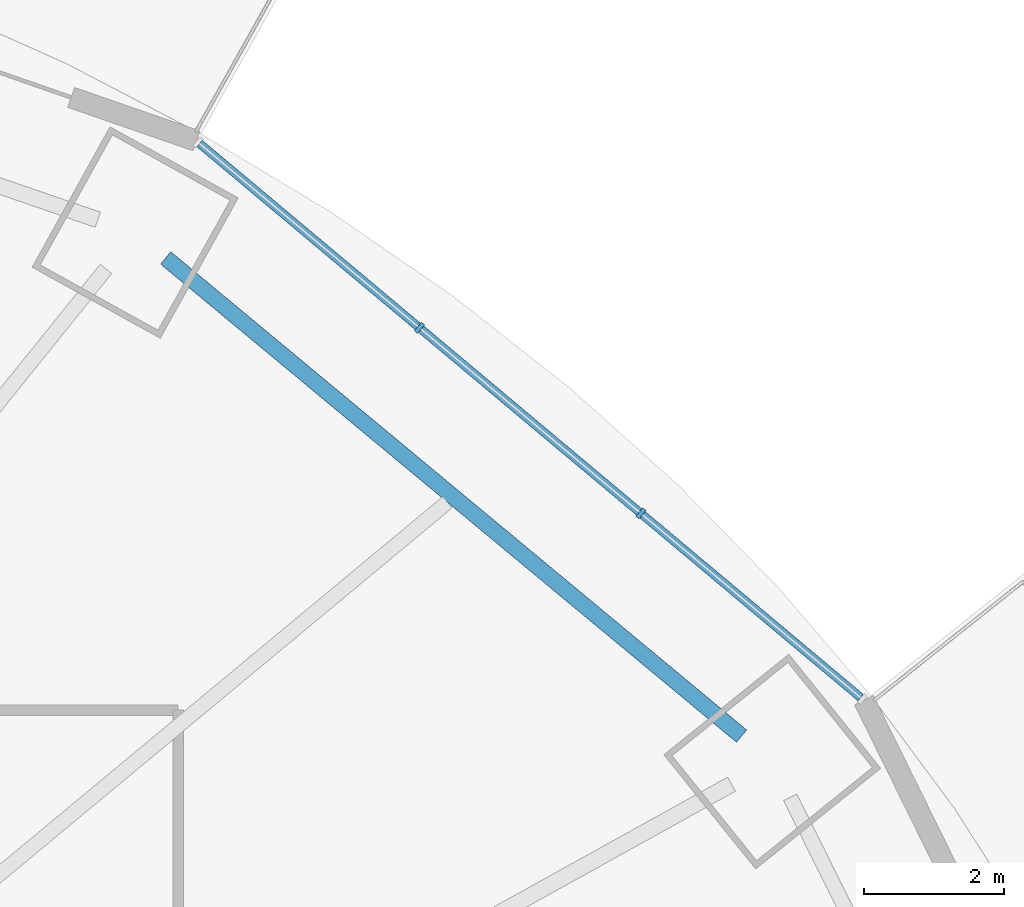
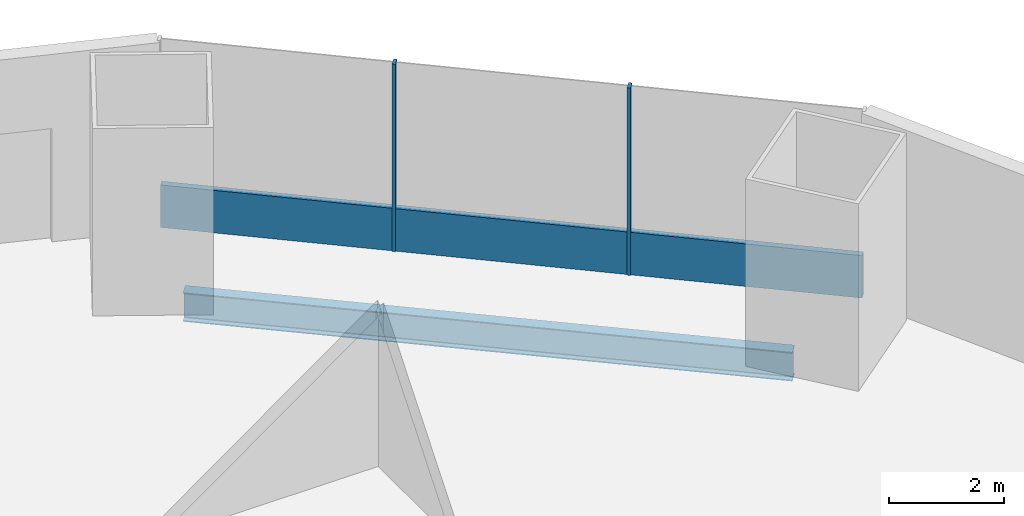
# One storey, part 10 of 22: 3 members, 1 beam, 1 element without a shape of its own.
"""IFC4 building model written with IfcOpenShell, lengths in metres."""

from ifc_helpers import new_model, si_unit, direction, frame, origin, origin_2d, place, context, subcontext, project, spatial, rectangle, i_section, extrude, material, material_profile, profile_set, type_object, element, aggregate, save


model = new_model("IFC4")

# Units and contexts
model_context = context("Model", 3, precision=1e-05, world=origin(), true_north=direction((0.0, 1.0)))
body_context = subcontext(model_context, "Body", "Model", "MODEL_VIEW")
ifc_project = project(units=[si_unit("LENGTHUNIT", "METRE"), si_unit("AREAUNIT", "SQUARE_METRE"), si_unit("VOLUMEUNIT", "CUBIC_METRE"), si_unit("PLANEANGLEUNIT", "RADIAN"), si_unit("MASSUNIT", "GRAM", prefix="KILO")], contexts=[model_context])

# Site, building, storey
site_placement = place(None, origin())
site = spatial("IfcSite", under=ifc_project, at=site_placement, CompositionType="ELEMENT")
building_placement = place(site_placement, origin())
building = spatial("IfcBuilding", under=site, at=building_placement, Name="Marenthal Gate Tower", CompositionType="ELEMENT")
storey_placement = place(building_placement, frame((0.0, 0.0, 99.39990234375)))
storey = spatial("IfcBuildingStorey", under=building, at=storey_placement, Name="L20", CompositionType="ELEMENT", Elevation=99.39990234375)

# Curtain wall, members
ifc_material_1 = material(Name="Aluminium and glass", Category="aluminium")
curtain_wall_type = type_object("IfcCurtainWallType", Name="Curtain wall typical low", PredefinedType="NOTDEFINED", material=ifc_material_1)
curtain_wall_placement = place(storey_placement, origin())
curtain_wall = element("IfcCurtainWall", 1, at=curtain_wall_placement, inside=storey, type_object=curtain_wall_type, Name="Curtain wall L20 bay 2", PredefinedType="NOTDEFINED")
ifc_material_2 = material(Name="Aluminium", Category="aluminium")
ifc_material_profile_1 = material_profile(ifc_material_2, rectangle(XDim=0.159912109375, YDim=0.06005859375, at=origin_2d()), Name="60x160 aluminium mullion")
ifc_profile_set_1 = profile_set([ifc_material_profile_1], Name="Aluminium")
member_type_1 = type_object("IfcMemberType", Name="Mullion 60x160 typical low", PredefinedType="MULLION", material=ifc_profile_set_1)
member_1_placement = place(storey_placement, frame((25.62939453125, 18.8193359375, 0.0), z_axis=(0.0, 0.0, 1.0), x_axis=(-0.642307658805, -0.766446913648, 0.0)))
member_1 = element("IfcMember", 2, at=member_1_placement, type_object=member_type_1, Name="Mullion L20 bay 2.2", PredefinedType="MULLION", context=body_context, shape_type="SweptSolid", body=[
    extrude(rectangle(XDim=0.159912109375, YDim=0.06005859375, at=origin_2d()), origin(), (0.0, 0.0, 1.0), 3.97021484375),
])
member_2_placement = place(storey_placement, frame((22.45654296875, 21.478271484375, 0.0), z_axis=(0.0, 0.0, 1.0), x_axis=(-0.642307658805, -0.766446913648, 0.0)))
member_2 = element("IfcMember", 3, at=member_2_placement, type_object=member_type_1, Name="Mullion L20 bay 2.3", PredefinedType="MULLION", context=body_context, shape_type="SweptSolid", body=[
    extrude(rectangle(XDim=0.159912109375, YDim=0.06005859375, at=origin_2d()), origin(), (0.0, 0.0, 1.0), 3.97021484375),
])
ifc_material_3 = material(Name="Aluminium", Category="aluminium")
ifc_material_profile_2 = material_profile(ifc_material_3, rectangle(XDim=0.1201171875, YDim=0.89990234375, at=origin_2d()), Name="120x900 aluminium transom")
ifc_profile_set_2 = profile_set([ifc_material_profile_2], Name="Aluminium")
member_type_2 = type_object("IfcMemberType", Name="Transom 120x900 typical low", PredefinedType="USERDEFINED", material=ifc_profile_set_2)
member_3_placement = place(storey_placement, frame((28.779296875, 16.179443359375, 0.4501953125), z_axis=(-0.766442158037, 0.642313333494, 0.0), x_axis=(-0.642313333494, -0.766442158037, 0.0)))
member_3 = element("IfcMember", 4, at=member_3_placement, type_object=member_type_2, Name="Transom L20 bay 2", ObjectType="TRANSOM", PredefinedType="USERDEFINED", context=body_context, shape_type="SweptSolid", body=[
    extrude(rectangle(XDim=0.1201171875, YDim=0.89990234375, at=origin_2d()), origin(), (0.0, 0.0, 1.0), 12.359619140625),
])
aggregate(curtain_wall, [member_1, member_2, member_3])

# Beam
ifc_material_4 = material(Name="Steel S355", Category="steel")
ifc_material_profile_3 = material_profile(ifc_material_4, i_section(OverallWidth=0.22900390625, OverallDepth=0.612060546875, WebThickness=0.011962890625, FlangeThickness=0.01953125, FilletRadius=0.0126953125, at=origin_2d()), Name="W610X125")
ifc_profile_set_3 = profile_set([ifc_material_profile_3], Name="Steel S355")
beam_type = type_object("IfcBeamType", Name="W610X125 beam", PredefinedType="BEAM", material=ifc_profile_set_3)
beam_placement = place(storey_placement, frame((27.072021484375, 15.628173828125, -0.48583984375), z_axis=(-0.769369356562, 0.638804190017, 0.0), x_axis=(-0.638804190017, -0.769369356562, 0.0)))
element("IfcBeam", 5, at=beam_placement, inside=storey, type_object=beam_type, Name="BM-L20-42", PredefinedType="BEAM", context=body_context, shape_type="SweptSolid", body=[
    extrude(i_section(OverallWidth=0.22900390625, OverallDepth=0.612060546875, WebThickness=0.011962890625, FlangeThickness=0.01953125, FilletRadius=0.0126953125, at=origin_2d()), origin(), (0.0, 0.0, 1.0), 10.7255859375),
])

save(model, "model.ifc")
